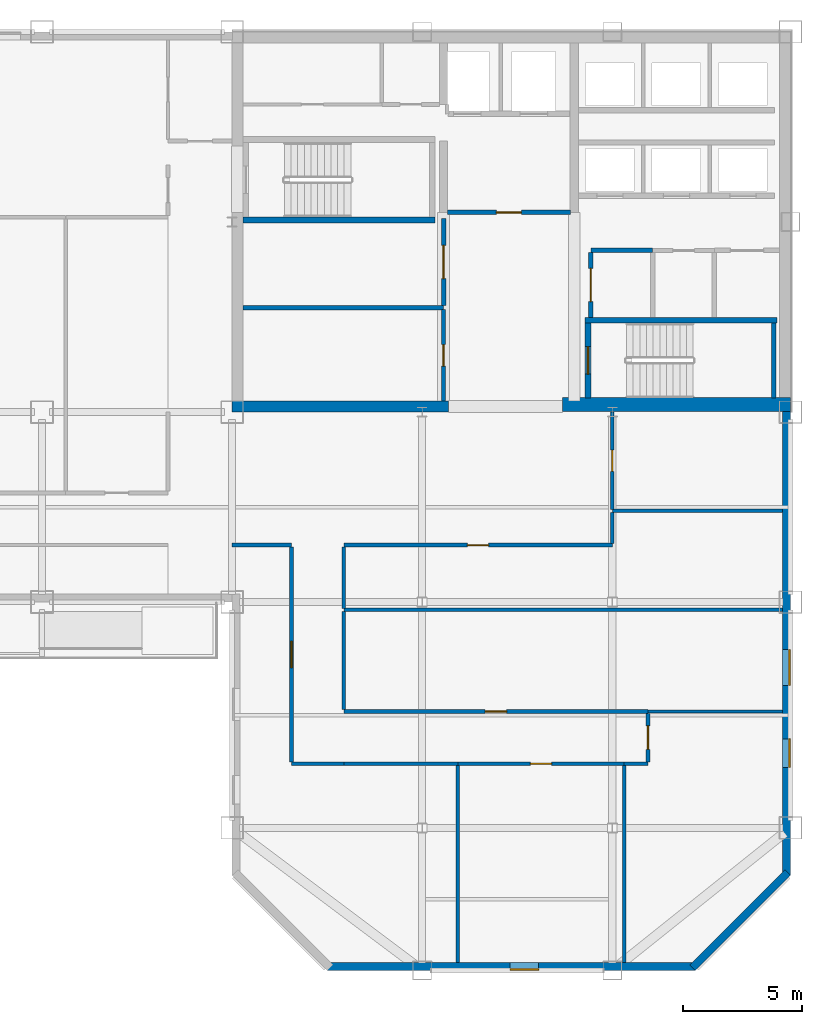
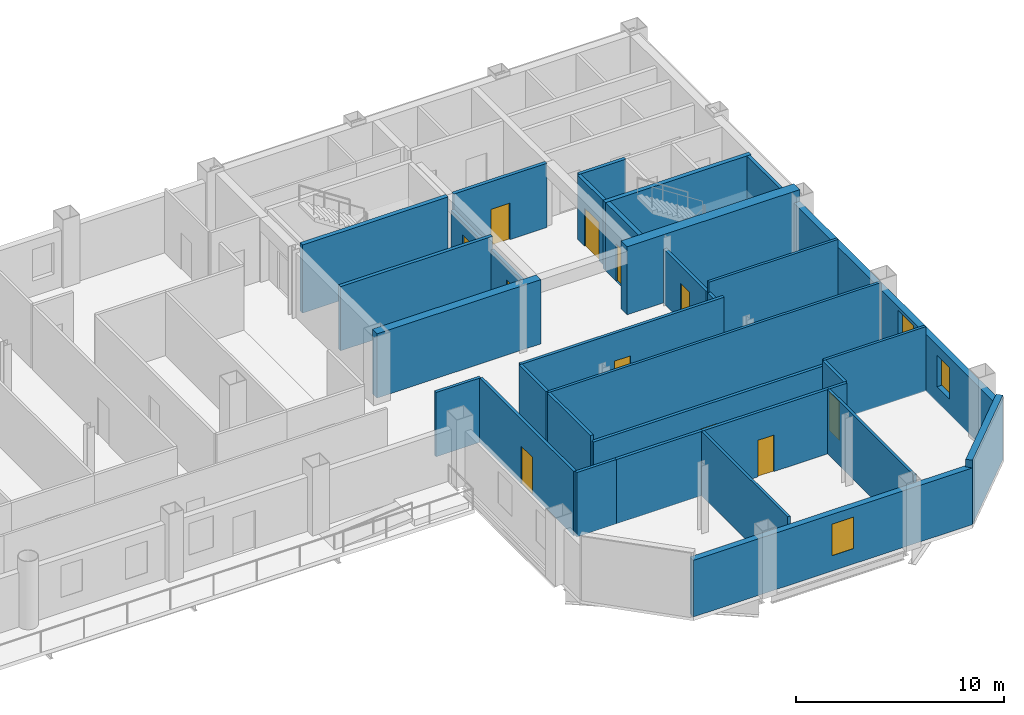
# One storey, part 5 of 11: 33 walls, 11 doors, 3 windows, 14 openings.
"""IFC4 building model written with IfcOpenShell, lengths in metres."""

from ifc_helpers import new_model, si_unit, direction, frame, frame_2d, origin, place, context, subcontext, project, spatial, rectangle, extrude, material, layer, layer_set, type_object, element, fill, save


model = new_model("IFC4")

# Units and contexts
model_context = context("Model", 3, precision=1e-05, world=origin(), true_north=direction((0.0, 1.0)))
body_context = subcontext(model_context, "Body", "Model", "MODEL_VIEW")
ifc_project = project(units=[si_unit("LENGTHUNIT", "METRE"), si_unit("AREAUNIT", "SQUARE_METRE"), si_unit("VOLUMEUNIT", "CUBIC_METRE"), si_unit("PLANEANGLEUNIT", "RADIAN"), si_unit("MASSUNIT", "GRAM", prefix="KILO")], contexts=[model_context])

# Site, building, storey
site_placement = place(None, origin())
site = spatial("IfcSite", under=ifc_project, at=site_placement, CompositionType="ELEMENT")
building_placement = place(site_placement, origin())
building = spatial("IfcBuilding", under=site, at=building_placement, Name="Qianrong Seaharbour Tower", CompositionType="ELEMENT")
storey_placement = place(building_placement, frame((0.0, 0.0, 273.800048828125)))
storey = spatial("IfcBuildingStorey", under=building, at=storey_placement, Name="L66", CompositionType="ELEMENT", Elevation=273.800048828125)

# Walls
ifc_material_1 = material(Name="Concrete C60/75", Category="concrete")
ifc_layer_1 = layer(ifc_material_1, 0.4599609375)
ifc_layer_set_1 = layer_set([ifc_layer_1], Name="Concrete C60/75")
wall_type_1 = type_object("IfcWallType", Name="WALL-CORE-460", PredefinedType="SHEAR", material=ifc_layer_set_1)
wall_1_placement = place(storey_placement, frame((40.5, 36.22998046875, 0.0), z_axis=(0.0, 0.0, 1.0), x_axis=(1.0, 0.0, 0.0)))
element("IfcWall", 1, at=wall_1_placement, inside=storey, type_object=wall_type_1, Name="L66 South Core Shear Wall S1", PredefinedType="SHEAR", context=body_context, shape_type="SweptSolid", body=[
    extrude(rectangle(XDim=9.10009765625, YDim=0.4599609375, at=frame_2d((4.550048828125, 0.0))), origin(), (0.0, 0.0, 1.0), 3.77490234375),
])
ifc_material_2 = material(Name="Concrete C70/85", Category="concrete")
ifc_layer_2 = layer(ifc_material_2, 0.580078125)
ifc_layer_set_2 = layer_set([ifc_layer_2], Name="Concrete C70/85")
wall_type_2 = type_object("IfcWallType", Name="WALL-CORE-580", PredefinedType="SHEAR", material=ifc_layer_set_2)
wall_2_placement = place(storey_placement, frame((54.39990234375, 36.320068359375, 0.0), z_axis=(0.0, 0.0, 1.0), x_axis=(1.0, 0.0, 0.0)))
element("IfcWall", 2, at=wall_2_placement, inside=storey, type_object=wall_type_2, Name="L66 South Core Shear Wall S3", PredefinedType="SHEAR", context=body_context, shape_type="SweptSolid", body=[
    extrude(rectangle(XDim=9.60009765625, YDim=0.580078125, at=frame_2d((4.800048828125, 0.0))), origin(), (0.0, 0.0, 1.0), 4.0),
])

# Wall, opening, door
ifc_material_3 = material(Name="Fire-rated acoustic gypsum board partition")
ifc_layer_3 = layer(ifc_material_3, 0.1650390625)
ifc_layer_set_3 = layer_set([ifc_layer_3], Name="Fire-rated acoustic gypsum board partition")
wall_type_3 = type_object("IfcWallType", Name="WALL-CORR-PART-165", PredefinedType="PARTITIONING", material=ifc_layer_set_3)
wall_3_placement = place(storey_placement, frame((49.39990234375, 36.4599609375, 0.0), z_axis=(0.0, 0.0, 1.0), x_axis=(0.0, 1.0, 0.0)))
wall_3 = element("IfcWall", 3, at=wall_3_placement, inside=storey, type_object=wall_type_3, Name="L66 Interior Partition Wall 007", PredefinedType="PARTITIONING", context=body_context, shape_type="SweptSolid", body=[
    extrude(rectangle(XDim=3.85302734375, YDim=0.1650390625, at=frame_2d((1.926513671875, 0.0))), origin(), (0.0, 0.0, 1.0), 3.016845703125),
])
opening_1_placement = place(wall_3_placement, frame((1.4765625, 0.0, 0.0)))
opening_1 = element("IfcOpeningElement", 4, at=opening_1_placement, cuts=wall_3, Name="Opening DS-01", PredefinedType="OPENING", context=body_context, shape_type="SweptSolid", body=[
    extrude(rectangle(XDim=0.89990234375, YDim=2.14990234375, at=frame_2d((0.449951171875, 1.074951171875))), frame((0.0, 0.092529296875, 0.0), z_axis=(0.0, -1.0, 0.0), x_axis=(1.0, 0.0, 0.0)), (0.0, 0.0, 1.0), 0.18505859375),
])
ifc_material_4 = material(Name="Acoustic timber and galvanized steel fire door assembly", Category="steel")
door_type_1 = type_object("IfcDoorType", Name="DOOR-STORE-900x2150", OperationType="NOTDEFINED", PredefinedType="DOOR", material=ifc_material_4)
door_1_placement = place(opening_1_placement, origin())
door_1 = element("IfcDoor", 5, at=door_1_placement, inside=storey, type_object=door_type_1, Name="L66 Corporate Archive Room Door", OperationType="SINGLE_SWING_LEFT", OverallHeight=2.14990234375, OverallWidth=0.89990234375, PredefinedType="DOOR", context=body_context, shape_type="SweptSolid", body=[
    extrude(rectangle(XDim=0.89990234375, YDim=2.14990234375, at=frame_2d((0.449951171875, 1.074951171875))), frame((0.0, 0.02490234375, 0.0), z_axis=(0.0, -1.0, 0.0), x_axis=(1.0, 0.0, 0.0)), (0.0, 0.0, 1.0), 0.050048828125),
])
fill(opening_1, door_1)

# Wall
wall_4_placement = place(storey_placement, frame((56.5, 31.775390625, 0.0), z_axis=(0.0, 0.0, 1.0), x_axis=(0.0, -1.0, 0.0)))
element("IfcWall", 6, at=wall_4_placement, inside=storey, type_object=wall_type_3, Name="L66 Interior Partition Wall 030", PredefinedType="PARTITIONING", context=body_context, shape_type="SweptSolid", body=[
    extrude(rectangle(XDim=1.30078125, YDim=0.1650390625, at=frame_2d((0.650390625, 0.0))), origin(), (0.0, 0.0, 1.0), 3.178955078125),
])

# Wall, opening, door
wall_5_placement = place(storey_placement, frame((56.5, 30.39990234375, 0.0), z_axis=(0.0, 0.0, 1.0), x_axis=(-1.0, 0.0, 0.0)))
wall_5 = element("IfcWall", 7, at=wall_5_placement, inside=storey, type_object=wall_type_3, Name="L66 Interior Partition Wall 031", PredefinedType="PARTITIONING", context=body_context, shape_type="SweptSolid", body=[
    extrude(rectangle(XDim=11.300048828125, YDim=0.1650390625, at=frame_2d((5.64990234375, 0.0))), origin(), (0.0, 0.0, 1.0), 3.77490234375),
])
opening_2_placement = place(wall_5_placement, frame((5.199951171875, 0.0, 0.0)))
opening_2 = element("IfcOpeningElement", 8, at=opening_2_placement, cuts=wall_5, Name="Opening DS-01", PredefinedType="OPENING", context=body_context, shape_type="SweptSolid", body=[
    extrude(rectangle(XDim=0.89990234375, YDim=2.14990234375, at=frame_2d((0.449951171875, 1.074951171875))), frame((0.0, 0.092529296875, 0.0), z_axis=(0.0, -1.0, 0.0), x_axis=(1.0, 0.0, 0.0)), (0.0, 0.0, 1.0), 0.18505859375),
])
door_2_placement = place(opening_2_placement, origin())
door_2 = element("IfcDoor", 9, at=door_2_placement, inside=storey, type_object=door_type_1, Name="L66 Closed File Store 2 Door", OperationType="SINGLE_SWING_RIGHT", OverallHeight=2.14990234375, OverallWidth=0.89990234375, PredefinedType="DOOR", context=body_context, shape_type="SweptSolid", body=[
    extrude(rectangle(XDim=0.89990234375, YDim=2.14990234375, at=frame_2d((0.449951171875, 1.074951171875))), frame((0.0, 0.02490234375, 0.0), z_axis=(0.0, -1.0, 0.0), x_axis=(1.0, 0.0, 0.0)), (0.0, 0.0, 1.0), 0.050048828125),
])
fill(opening_2, door_2)

wall_6_placement = place(storey_placement, frame((56.5, 36.0, 0.0), z_axis=(0.0, 0.0, 1.0), x_axis=(0.0, -1.0, 0.0)))
wall_6 = element("IfcWall", 10, at=wall_6_placement, inside=storey, type_object=wall_type_3, Name="L66 Interior Partition Wall 032", PredefinedType="PARTITIONING", context=body_context, shape_type="SweptSolid", body=[
    extrude(rectangle(XDim=4.095458984375, YDim=0.1650390625, at=frame_2d((2.0478515625, 0.0))), origin(), (0.0, 0.0, 1.0), 3.178955078125),
])
opening_3_placement = place(wall_6_placement, frame((1.597900390625, 0.0, 0.0)))
opening_3 = element("IfcOpeningElement", 11, at=opening_3_placement, cuts=wall_6, Name="Opening DS-01", PredefinedType="OPENING", context=body_context, shape_type="SweptSolid", body=[
    extrude(rectangle(XDim=0.89990234375, YDim=2.14990234375, at=frame_2d((0.449951171875, 1.074951171875))), frame((0.0, 0.092529296875, 0.0), z_axis=(0.0, -1.0, 0.0), x_axis=(1.0, 0.0, 0.0)), (0.0, 0.0, 1.0), 0.18505859375),
])
door_3_placement = place(opening_3_placement, origin())
door_3 = element("IfcDoor", 12, at=door_3_placement, inside=storey, type_object=door_type_1, Name="L66 Document Registry Store 3 Door", OperationType="SINGLE_SWING_LEFT", OverallHeight=2.14990234375, OverallWidth=0.89990234375, PredefinedType="DOOR", context=body_context, shape_type="SweptSolid", body=[
    extrude(rectangle(XDim=0.89990234375, YDim=2.14990234375, at=frame_2d((0.449951171875, 1.074951171875))), frame((0.0, 0.02490234375, 0.0), z_axis=(0.0, -1.0, 0.0), x_axis=(1.0, 0.0, 0.0)), (0.0, 0.0, 1.0), 0.050048828125),
])
fill(opening_3, door_3)

# Walls
wall_7_placement = place(storey_placement, frame((43.0, 30.39990234375, 0.0), z_axis=(0.0, 0.0, 1.0), x_axis=(-1.0, 0.0, 0.0)))
element("IfcWall", 13, at=wall_7_placement, inside=storey, type_object=wall_type_3, Name="L66 Interior Partition Wall 033", PredefinedType="PARTITIONING", context=body_context, shape_type="SweptSolid", body=[
    extrude(rectangle(XDim=2.5, YDim=0.1650390625, at=frame_2d((1.25, 0.0))), origin(), (0.0, 0.0, 1.0), 3.77490234375),
])
wall_8_placement = place(storey_placement, frame((45.199951171875, 27.615478515625, 0.0), z_axis=(0.0, 0.0, 1.0), x_axis=(0.0, -1.0, 0.0)))
element("IfcWall", 14, at=wall_8_placement, inside=storey, type_object=wall_type_3, Name="L66 Interior Partition Wall 034", PredefinedType="PARTITIONING", context=body_context, shape_type="SweptSolid", body=[
    extrude(rectangle(XDim=4.140869140625, YDim=0.1650390625, at=frame_2d((2.0703125, 0.0))), origin(), (0.0, 0.0, 1.0), 3.77490234375),
])
wall_9_placement = place(storey_placement, frame((45.199951171875, 30.325439453125, 0.0), z_axis=(0.0, 0.0, 1.0), x_axis=(0.0, -1.0, 0.0)))
element("IfcWall", 15, at=wall_9_placement, inside=storey, type_object=wall_type_3, Name="L66 Interior Partition Wall 035", PredefinedType="PARTITIONING", context=body_context, shape_type="SweptSolid", body=[
    extrude(rectangle(XDim=2.5810546875, YDim=0.1650390625, at=frame_2d((1.29052734375, 0.0))), origin(), (0.0, 0.0, 1.0), 3.77490234375),
])
wall_10_placement = place(storey_placement, frame((45.199951171875, 21.199951171875, 0.0), z_axis=(0.0, 0.0, 1.0), x_axis=(-1.0, 0.0, 0.0)))
element("IfcWall", 16, at=wall_10_placement, inside=storey, type_object=wall_type_3, Name="L66 Interior Partition Wall 036", PredefinedType="PARTITIONING", context=body_context, shape_type="SweptSolid", body=[
    extrude(rectangle(XDim=2.199951171875, YDim=0.1650390625, at=frame_2d((1.10009765625, 0.0))), origin(), (0.0, 0.0, 1.0), 3.77490234375),
])

# Wall, opening, door
wall_11_placement = place(storey_placement, frame((43.0, 21.2744140625, 0.0), z_axis=(0.0, 0.0, 1.0), x_axis=(0.0, 1.0, 0.0)))
wall_11 = element("IfcWall", 17, at=wall_11_placement, inside=storey, type_object=wall_type_3, Name="L66 Interior Partition Wall 037", PredefinedType="PARTITIONING", context=body_context, shape_type="SweptSolid", body=[
    extrude(rectangle(XDim=9.051025390625, YDim=0.1650390625, at=frame_2d((4.525390625, 0.0))), origin(), (0.0, 0.0, 1.0), 3.77490234375),
])
opening_4_placement = place(wall_11_placement, frame((3.9755859375, 0.0, 0.0)))
opening_4 = element("IfcOpeningElement", 18, at=opening_4_placement, cuts=wall_11, Name="Opening DM-01", PredefinedType="OPENING", context=body_context, shape_type="SweptSolid", body=[
    extrude(rectangle(XDim=1.10009765625, YDim=2.199951171875, at=frame_2d((0.550048828125, 1.10009765625))), frame((0.0, 0.092529296875, 0.0), z_axis=(0.0, -1.0, 0.0), x_axis=(1.0, 0.0, 0.0)), (0.0, 0.0, 1.0), 0.18505859375),
])
door_type_2 = type_object("IfcDoorType", Name="DOOR-MEET-1100x2200", OperationType="NOTDEFINED", PredefinedType="DOOR", material=ifc_material_4)
door_4_placement = place(opening_4_placement, origin())
door_4 = element("IfcDoor", 19, at=door_4_placement, inside=storey, type_object=door_type_2, Name="L66 Mediation Meeting Room 1 Door", OperationType="SINGLE_SWING_LEFT", OverallHeight=2.199951171875, OverallWidth=1.10009765625, PredefinedType="DOOR", context=body_context, shape_type="SweptSolid", body=[
    extrude(rectangle(XDim=1.10009765625, YDim=2.199951171875, at=frame_2d((0.550048828125, 1.10009765625))), frame((0.0, 0.02490234375, 0.0), z_axis=(0.0, -1.0, 0.0), x_axis=(1.0, 0.0, 0.0)), (0.0, 0.0, 1.0), 0.050048828125),
])
fill(opening_4, door_4)

wall_12_placement = place(storey_placement, frame((45.199951171875, 23.39990234375, 0.0), z_axis=(0.0, 0.0, 1.0), x_axis=(1.0, 0.0, 0.0)))
wall_12 = element("IfcWall", 20, at=wall_12_placement, inside=storey, type_object=wall_type_3, Name="L66 Interior Partition Wall 038", PredefinedType="PARTITIONING", context=body_context, shape_type="SweptSolid", body=[
    extrude(rectangle(XDim=12.800048828125, YDim=0.1650390625, at=frame_2d((6.39990234375, 0.0))), origin(), (0.0, 0.0, 1.0), 3.467041015625),
])
opening_5_placement = place(wall_12_placement, frame((5.949951171875, 0.0, 0.0)))
opening_5 = element("IfcOpeningElement", 21, at=opening_5_placement, cuts=wall_12, Name="Opening DS-01", PredefinedType="OPENING", context=body_context, shape_type="SweptSolid", body=[
    extrude(rectangle(XDim=0.89990234375, YDim=2.14990234375, at=frame_2d((0.449951171875, 1.074951171875))), frame((0.0, 0.092529296875, 0.0), z_axis=(0.0, -1.0, 0.0), x_axis=(1.0, 0.0, 0.0)), (0.0, 0.0, 1.0), 0.18505859375),
])
door_5_placement = place(opening_5_placement, origin())
door_5 = element("IfcDoor", 22, at=door_5_placement, inside=storey, type_object=door_type_1, Name="L66 Docket Archive Store 1 Door", OperationType="SINGLE_SWING_LEFT", OverallHeight=2.14990234375, OverallWidth=0.89990234375, PredefinedType="DOOR", context=body_context, shape_type="SweptSolid", body=[
    extrude(rectangle(XDim=0.89990234375, YDim=2.14990234375, at=frame_2d((0.449951171875, 1.074951171875))), frame((0.0, 0.02490234375, 0.0), z_axis=(0.0, -1.0, 0.0), x_axis=(1.0, 0.0, 0.0)), (0.0, 0.0, 1.0), 0.050048828125),
])
fill(opening_5, door_5)

# Wall
wall_13_placement = place(storey_placement, frame((50.0, 21.199951171875, 0.0), z_axis=(0.0, 0.0, 1.0), x_axis=(-1.0, 0.0, 0.0)))
element("IfcWall", 23, at=wall_13_placement, inside=storey, type_object=wall_type_3, Name="L66 Interior Partition Wall 039", PredefinedType="PARTITIONING", context=body_context, shape_type="SweptSolid", body=[
    extrude(rectangle(XDim=4.800048828125, YDim=0.1650390625, at=frame_2d((2.39990234375, 0.0))), origin(), (0.0, 0.0, 1.0), 3.77490234375),
])

# Wall, opening, door
wall_14_placement = place(storey_placement, frame((57.0, 21.199951171875, 0.0), z_axis=(0.0, 0.0, 1.0), x_axis=(-1.0, 0.0, 0.0)))
wall_14 = element("IfcWall", 24, at=wall_14_placement, inside=storey, type_object=wall_type_3, Name="L66 Interior Partition Wall 040", PredefinedType="PARTITIONING", context=body_context, shape_type="SweptSolid", body=[
    extrude(rectangle(XDim=7.0, YDim=0.1650390625, at=frame_2d((3.5, 0.0))), origin(), (0.0, 0.0, 1.0), 3.77490234375),
])
opening_6_placement = place(wall_14_placement, frame((3.050048828125, 0.0, 0.0)))
opening_6 = element("IfcOpeningElement", 25, at=opening_6_placement, cuts=wall_14, Name="Opening DS-01", PredefinedType="OPENING", context=body_context, shape_type="SweptSolid", body=[
    extrude(rectangle(XDim=0.89990234375, YDim=2.14990234375, at=frame_2d((0.449951171875, 1.074951171875))), frame((0.0, 0.092529296875, 0.0), z_axis=(0.0, -1.0, 0.0), x_axis=(1.0, 0.0, 0.0)), (0.0, 0.0, 1.0), 0.18505859375),
])
door_6_placement = place(opening_6_placement, origin())
door_6 = element("IfcDoor", 26, at=door_6_placement, inside=storey, type_object=door_type_1, Name="L66 Corporate Archive Room 2 Door", OperationType="SINGLE_SWING_RIGHT", OverallHeight=2.14990234375, OverallWidth=0.89990234375, PredefinedType="DOOR", context=body_context, shape_type="SweptSolid", body=[
    extrude(rectangle(XDim=0.89990234375, YDim=2.14990234375, at=frame_2d((0.449951171875, 1.074951171875))), frame((0.0, 0.02490234375, 0.0), z_axis=(0.0, -1.0, 0.0), x_axis=(1.0, 0.0, 0.0)), (0.0, 0.0, 1.0), 0.050048828125),
])
fill(opening_6, door_6)

wall_15_placement = place(storey_placement, frame((58.0, 23.325439453125, 0.0), z_axis=(0.0, 0.0, 1.0), x_axis=(0.0, -1.0, 0.0)))
wall_15 = element("IfcWall", 27, at=wall_15_placement, inside=storey, type_object=wall_type_3, Name="L66 Interior Partition Wall 041", PredefinedType="PARTITIONING", context=body_context, shape_type="SweptSolid", body=[
    extrude(rectangle(XDim=2.051025390625, YDim=0.1650390625, at=frame_2d((1.025390625, 0.0))), origin(), (0.0, 0.0, 1.0), 3.77490234375),
])
opening_7_placement = place(wall_15_placement, frame((0.535400390625, 0.0, 0.0)))
opening_7 = element("IfcOpeningElement", 28, at=opening_7_placement, cuts=wall_15, Name="Opening DE-01", PredefinedType="OPENING", context=body_context, shape_type="SweptSolid", body=[
    extrude(rectangle(XDim=0.97998046875, YDim=2.25, at=frame_2d((0.489990234375, 1.125))), frame((0.0, 0.092529296875, 0.0), z_axis=(0.0, -1.0, 0.0), x_axis=(1.0, 0.0, 0.0)), (0.0, 0.0, 1.0), 0.18505859375),
])
door_type_3 = type_object("IfcDoorType", Name="DOOR-EXEC-980x2250", OperationType="NOTDEFINED", PredefinedType="DOOR", material=ifc_material_4)
door_7_placement = place(opening_7_placement, origin())
door_7 = element("IfcDoor", 29, at=door_7_placement, inside=storey, type_object=door_type_3, Name="L66 Senior Partner Office 3 Door", OperationType="SINGLE_SWING_LEFT", OverallHeight=2.25, OverallWidth=0.97998046875, PredefinedType="DOOR", context=body_context, shape_type="SweptSolid", body=[
    extrude(rectangle(XDim=0.97998046875, YDim=2.25, at=frame_2d((0.489990234375, 1.125))), frame((0.0, 0.02490234375, 0.0), z_axis=(0.0, -1.0, 0.0), x_axis=(1.0, 0.0, 0.0)), (0.0, 0.0, 1.0), 0.050048828125),
])
fill(opening_7, door_7)

# Wall
wall_16_placement = place(storey_placement, frame((58.0, 21.199951171875, 0.0), z_axis=(0.0, 0.0, 1.0), x_axis=(-1.0, 0.0, 0.0)))
element("IfcWall", 30, at=wall_16_placement, inside=storey, type_object=wall_type_3, Name="L66 Interior Partition Wall 042", PredefinedType="PARTITIONING", context=body_context, shape_type="SweptSolid", body=[
    extrude(rectangle(XDim=1.0, YDim=0.1650390625, at=frame_2d((0.5, 0.0))), origin(), (0.0, 0.0, 1.0), 3.77490234375),
])

# Wall, openings, windows
ifc_material_5 = material(Name="Unitised buff brick on Precast concrete C45/55", Category="masonry")
ifc_layer_4 = layer(ifc_material_5, 0.340087890625)
ifc_layer_set_4 = layer_set([ifc_layer_4], Name="Unitised buff brick on Precast concrete C45/55")
wall_type_4 = type_object("IfcWallType", Name="WALL-EXT-BRICK-BUFF-340", PredefinedType="SOLIDWALL", material=ifc_layer_set_4)
wall_17_placement = place(storey_placement, frame((63.830078125, 36.050048828125, 0.0), z_axis=(0.0, 0.0, 1.0), x_axis=(0.0, -1.0, 0.0)))
wall_17 = element("IfcWall", 31, at=wall_17_placement, inside=storey, type_object=wall_type_4, Name="L66 Exterior Masonry Facade Wall EAST_WING", PredefinedType="SOLIDWALL", context=body_context, shape_type="SweptSolid", body=[
    extrude(rectangle(XDim=19.550048828125, YDim=0.340087890625, at=frame_2d((9.77490234375, 0.0))), origin(), (0.0, 0.0, 1.0), 3.324951171875),
])
opening_8_placement = place(wall_17_placement, frame((10.050048828125, 0.0, 0.699951171875)))
opening_8 = element("IfcOpeningElement", 32, at=opening_8_placement, cuts=wall_17, Name="Opening WN-08", PredefinedType="OPENING", context=body_context, shape_type="SweptSolid", body=[
    extrude(rectangle(XDim=1.5, YDim=2.39990234375, at=frame_2d((0.75, 1.199951171875))), frame((0.0, 0.18017578125, 0.0), z_axis=(0.0, -1.0, 0.0), x_axis=(1.0, 0.0, 0.0)), (0.0, 0.0, 1.0), 0.360107421875),
])
opening_9_placement = place(wall_17_placement, frame((13.800048828125, 0.0, 0.89990234375)))
opening_9 = element("IfcOpeningElement", 33, at=opening_9_placement, cuts=wall_17, Name="Opening WN-01", PredefinedType="OPENING", context=body_context, shape_type="SweptSolid", body=[
    extrude(rectangle(XDim=1.199951171875, YDim=1.85009765625, at=frame_2d((0.60009765625, 0.925048828125))), frame((0.0, 0.18017578125, 0.0), z_axis=(0.0, -1.0, 0.0), x_axis=(1.0, 0.0, 0.0)), (0.0, 0.0, 1.0), 0.360107421875),
])
ifc_material_6 = material(Name="Insulated low-e double glazing in thermally broken aluminium 6063-T6 frame", Category="aluminium")
window_type_1 = type_object("IfcWindowType", Name="WIN-PUNCH-1200x1850", PartitioningType="DOUBLE_PANEL_VERTICAL", PredefinedType="WINDOW", material=ifc_material_6)
window_1_placement = place(opening_9_placement, origin())
window_1 = element("IfcWindow", 34, at=window_1_placement, inside=storey, type_object=window_type_1, Name="L66 Deep-Set Punched Window 06.04", OverallHeight=1.85009765625, OverallWidth=1.199951171875, PartitioningType="DOUBLE_PANEL_VERTICAL", PredefinedType="WINDOW", context=body_context, shape_type="SweptSolid", body=[
    extrude(rectangle(XDim=1.199951171875, YDim=1.85009765625, at=frame_2d((0.60009765625, 0.925048828125))), frame((0.0, 0.150146484375, 0.0), z_axis=(0.0, -1.0, 0.0), x_axis=(1.0, 0.0, 0.0)), (0.0, 0.0, 1.0), 0.06005859375),
])
fill(opening_9, window_1)
window_type_2 = type_object("IfcWindowType", Name="WIN-PUNCH-1500x2400", PartitioningType="DOUBLE_PANEL_HORIZONTAL", PredefinedType="WINDOW", material=ifc_material_6)
window_2_placement = place(opening_8_placement, origin())
window_2 = element("IfcWindow", 35, at=window_2_placement, inside=storey, type_object=window_type_2, Name="L66 Deep-Set Punched Window 06.03", OverallHeight=2.39990234375, OverallWidth=1.5, PartitioningType="DOUBLE_PANEL_HORIZONTAL", PredefinedType="WINDOW", context=body_context, shape_type="SweptSolid", body=[
    extrude(rectangle(XDim=1.5, YDim=2.39990234375, at=frame_2d((0.75, 1.199951171875))), frame((0.0, 0.150146484375, 0.0), z_axis=(0.0, -1.0, 0.0), x_axis=(1.0, 0.0, 0.0)), (0.0, 0.0, 1.0), 0.06005859375),
])
fill(opening_8, window_2)

# Wall
wall_18_placement = place(storey_placement, frame((63.8798828125, 16.6201171875, 0.0), z_axis=(0.0, 0.0, 1.0), x_axis=(-0.707106781187, -0.707106781187, 0.0)))
element("IfcWall", 36, at=wall_18_placement, inside=storey, type_object=wall_type_4, Name="L66 Exterior Masonry Facade Wall E07", PredefinedType="SOLIDWALL", context=body_context, shape_type="SweptSolid", body=[
    extrude(rectangle(XDim=5.65673828125, YDim=0.340087890625, at=frame_2d((2.828369140625, 0.0))), origin(), (0.0, 0.0, 1.0), 3.77490234375),
])

# Wall, opening, window
wall_19_placement = place(storey_placement, frame((60.0, 12.669921875, 0.0), z_axis=(0.0, 0.0, 1.0), x_axis=(-1.0, 0.0, 0.0)))
wall_19 = element("IfcWall", 37, at=wall_19_placement, inside=storey, type_object=wall_type_4, Name="L66 Exterior Masonry Facade Wall SOUTH_TIP", PredefinedType="SOLIDWALL", context=body_context, shape_type="SweptSolid", body=[
    extrude(rectangle(XDim=15.5, YDim=0.340087890625, at=frame_2d((7.75, 0.0))), origin(), (0.0, 0.0, 1.0), 3.324951171875),
])
opening_10_placement = place(wall_19_placement, frame((6.60009765625, 0.0, 0.89990234375)))
opening_10 = element("IfcOpeningElement", 38, at=opening_10_placement, cuts=wall_19, Name="Opening WN-01", PredefinedType="OPENING", context=body_context, shape_type="SweptSolid", body=[
    extrude(rectangle(XDim=1.199951171875, YDim=1.85009765625, at=frame_2d((0.60009765625, 0.925048828125))), frame((0.0, 0.18017578125, 0.0), z_axis=(0.0, -1.0, 0.0), x_axis=(1.0, 0.0, 0.0)), (0.0, 0.0, 1.0), 0.360107421875),
])
window_3_placement = place(opening_10_placement, origin())
window_3 = element("IfcWindow", 39, at=window_3_placement, inside=storey, type_object=window_type_1, Name="L66 Deep-Set Punched Window 08.02", OverallHeight=1.85009765625, OverallWidth=1.199951171875, PartitioningType="DOUBLE_PANEL_VERTICAL", PredefinedType="WINDOW", context=body_context, shape_type="SweptSolid", body=[
    extrude(rectangle(XDim=1.199951171875, YDim=1.85009765625, at=frame_2d((0.60009765625, 0.925048828125))), frame((0.0, 0.150146484375, 0.0), z_axis=(0.0, -1.0, 0.0), x_axis=(1.0, 0.0, 0.0)), (0.0, 0.0, 1.0), 0.06005859375),
])
fill(opening_10, window_3)

# Wall, opening, door
ifc_material_7 = material(Name="Double fire-rated gypsum board acoustic partition")
ifc_layer_5 = layer(ifc_material_7, 0.18994140625)
ifc_layer_set_5 = layer_set([ifc_layer_5], Name="Double fire-rated gypsum board acoustic partition")
wall_type_5 = type_object("IfcWallType", Name="WALL-FIRE-PART-190", PredefinedType="PARTITIONING", material=ifc_layer_set_5)
wall_20_placement = place(storey_placement, frame((54.73291015625, 44.39990234375, 0.0), z_axis=(0.0, 0.0, 1.0), x_axis=(-1.0, 0.0, 0.0)))
wall_20 = element("IfcWall", 40, at=wall_20_placement, inside=storey, type_object=wall_type_5, Name="L66 Interior Partition Wall 006", PredefinedType="PARTITIONING", context=body_context, shape_type="SweptSolid", body=[
    extrude(rectangle(XDim=5.166015625, YDim=0.18994140625, at=frame_2d((2.5830078125, 0.0))), origin(), (0.0, 0.0, 1.0), 3.77490234375),
])
opening_11_placement = place(wall_20_placement, frame((2.05810546875, 0.0, 0.0)))
opening_11 = element("IfcOpeningElement", 41, at=opening_11_placement, cuts=wall_20, Name="Opening DC-01", PredefinedType="OPENING", context=body_context, shape_type="SweptSolid", body=[
    extrude(rectangle(XDim=1.050048828125, YDim=2.14990234375, at=frame_2d((0.52490234375, 1.074951171875))), frame((0.0, 0.10498046875, 0.0), z_axis=(0.0, -1.0, 0.0), x_axis=(1.0, 0.0, 0.0)), (0.0, 0.0, 1.0), 0.2099609375),
])
door_type_4 = type_object("IfcDoorType", Name="DOOR-CORR-FD60-1050x2150", OperationType="NOTDEFINED", PredefinedType="DOOR", material=ifc_material_4)
door_8_placement = place(opening_11_placement, origin())
door_8 = element("IfcDoor", 42, at=door_8_placement, inside=storey, type_object=door_type_4, Name="L66 Firefighting Lift Lobby Door", OperationType="SINGLE_SWING_RIGHT", OverallHeight=2.14990234375, OverallWidth=1.050048828125, PredefinedType="DOOR", context=body_context, shape_type="SweptSolid", body=[
    extrude(rectangle(XDim=1.050048828125, YDim=2.14990234375, at=frame_2d((0.52490234375, 1.074951171875))), frame((0.0, 0.02490234375, 0.0), z_axis=(0.0, -1.0, 0.0), x_axis=(1.0, 0.0, 0.0)), (0.0, 0.0, 1.0), 0.050048828125),
])
fill(opening_11, door_8)

wall_21_placement = place(storey_placement, frame((49.39990234375, 40.487060546875, 0.0), z_axis=(0.0, 0.0, 1.0), x_axis=(0.0, 1.0, 0.0)))
wall_21 = element("IfcWall", 43, at=wall_21_placement, inside=storey, type_object=wall_type_5, Name="L66 Interior Partition Wall 008", PredefinedType="PARTITIONING", context=body_context, shape_type="SweptSolid", body=[
    extrude(rectangle(XDim=3.662841796875, YDim=0.18994140625, at=frame_2d((1.83154296875, 0.0))), origin(), (0.0, 0.0, 1.0), 3.016845703125),
])
opening_12_placement = place(wall_21_placement, frame((1.131591796875, 0.0, 0.0)))
opening_12 = element("IfcOpeningElement", 44, at=opening_12_placement, cuts=wall_21, Name="Opening DP-01", PredefinedType="OPENING", context=body_context, shape_type="SweptSolid", body=[
    extrude(rectangle(XDim=1.39990234375, YDim=2.25, at=frame_2d((0.699951171875, 1.125))), frame((0.0, 0.10498046875, 0.0), z_axis=(0.0, -1.0, 0.0), x_axis=(1.0, 0.0, 0.0)), (0.0, 0.0, 1.0), 0.2099609375),
])
door_type_5 = type_object("IfcDoorType", Name="DOOR-PLANT-PAIR-1400x2250", OperationType="DOUBLE_DOOR_SINGLE_SWING", PredefinedType="DOOR", material=ifc_material_4)
door_9_placement = place(opening_12_placement, origin())
door_9 = element("IfcDoor", 45, at=door_9_placement, inside=storey, type_object=door_type_5, Name="L66 Telecom Server Room Door", OperationType="DOUBLE_DOOR_SINGLE_SWING", OverallHeight=2.25, OverallWidth=1.39990234375, PredefinedType="DOOR", context=body_context, shape_type="SweptSolid", body=[
    extrude(rectangle(XDim=1.39990234375, YDim=2.25, at=frame_2d((0.699951171875, 1.125))), frame((0.0, 0.02490234375, 0.0), z_axis=(0.0, -1.0, 0.0), x_axis=(1.0, 0.0, 0.0)), (0.0, 0.0, 1.0), 0.050048828125),
])
fill(opening_12, door_9)

wall_22_placement = place(storey_placement, frame((55.60009765625, 42.712890625, 0.0), z_axis=(0.0, 0.0, 1.0), x_axis=(0.0, -1.0, 0.0)))
wall_22 = element("IfcWall", 46, at=wall_22_placement, inside=storey, type_object=wall_type_5, Name="L66 Interior Partition Wall 009", PredefinedType="PARTITIONING", context=body_context, shape_type="SweptSolid", body=[
    extrude(rectangle(XDim=2.73095703125, YDim=0.18994140625, at=frame_2d((1.365478515625, 0.0))), origin(), (0.0, 0.0, 1.0), 3.77490234375),
])
opening_13_placement = place(wall_22_placement, frame((0.66552734375, 0.0, 0.0)))
opening_13 = element("IfcOpeningElement", 47, at=opening_13_placement, cuts=wall_22, Name="Opening DP-01", PredefinedType="OPENING", context=body_context, shape_type="SweptSolid", body=[
    extrude(rectangle(XDim=1.39990234375, YDim=2.25, at=frame_2d((0.699951171875, 1.125))), frame((0.0, 0.10498046875, 0.0), z_axis=(0.0, -1.0, 0.0), x_axis=(1.0, 0.0, 0.0)), (0.0, 0.0, 1.0), 0.2099609375),
])
door_10_placement = place(opening_13_placement, origin())
door_10 = element("IfcDoor", 48, at=door_10_placement, inside=storey, type_object=door_type_5, Name="L66 Core Telecom Room Door", OperationType="DOUBLE_DOOR_SINGLE_SWING", OverallHeight=2.25, OverallWidth=1.39990234375, PredefinedType="DOOR", context=body_context, shape_type="SweptSolid", body=[
    extrude(rectangle(XDim=1.39990234375, YDim=2.25, at=frame_2d((0.699951171875, 1.125))), frame((0.0, 0.02490234375, 0.0), z_axis=(0.0, -1.0, 0.0), x_axis=(1.0, 0.0, 0.0)), (0.0, 0.0, 1.0), 0.050048828125),
])
fill(opening_13, door_10)

# Walls
wall_23_placement = place(storey_placement, frame((40.9599609375, 40.39990234375, 0.0), z_axis=(0.0, 0.0, 1.0), x_axis=(1.0, 0.0, 0.0)))
element("IfcWall", 49, at=wall_23_placement, inside=storey, type_object=wall_type_5, Name="L66 Interior Partition Wall 010", PredefinedType="PARTITIONING", context=body_context, shape_type="SweptSolid", body=[
    extrude(rectangle(XDim=8.43994140625, YDim=0.18994140625, at=frame_2d((4.219970703125, 0.0))), origin(), (0.0, 0.0, 1.0), 3.77490234375),
])
wall_24_placement = place(storey_placement, frame((58.199951171875, 42.800048828125, 0.0), z_axis=(0.0, 0.0, 1.0), x_axis=(-1.0, 0.0, 0.0)))
element("IfcWall", 50, at=wall_24_placement, inside=storey, type_object=wall_type_5, Name="L66 Interior Partition Wall 011", PredefinedType="PARTITIONING", context=body_context, shape_type="SweptSolid", body=[
    extrude(rectangle(XDim=2.599853515625, YDim=0.18994140625, at=frame_2d((1.2998046875, 0.0))), origin(), (0.0, 0.0, 1.0), 3.77490234375),
])
ifc_material_8 = material(Name="Acoustic gypsum board stud partition")
ifc_layer_6 = layer(ifc_material_8, 0.14501953125)
ifc_layer_set_6 = layer_set([ifc_layer_6], Name="Acoustic gypsum board stud partition")
wall_type_6 = type_object("IfcWallType", Name="WALL-OFFICE-PART-145", PredefinedType="PARTITIONING", material=ifc_layer_set_6)
wall_25_placement = place(storey_placement, frame((45.199951171875, 27.679931640625, 0.0), z_axis=(0.0, 0.0, 1.0), x_axis=(1.0, 0.0, 0.0)))
element("IfcWall", 51, at=wall_25_placement, inside=storey, type_object=wall_type_6, Name="L66 Interior Partition Wall 048", PredefinedType="PARTITIONING", context=body_context, shape_type="SweptSolid", body=[
    extrude(rectangle(XDim=18.468017578125, YDim=0.14501953125, at=frame_2d((9.23388671875, 0.0))), origin(), (0.0, 0.0, 1.0), 3.77490234375),
])
wall_26_placement = place(storey_placement, frame((63.66796875, 23.39990234375, 0.0), z_axis=(0.0, 0.0, 1.0), x_axis=(-1.0, 0.0, 0.0)))
element("IfcWall", 52, at=wall_26_placement, inside=storey, type_object=wall_type_6, Name="L66 Interior Partition Wall 049", PredefinedType="PARTITIONING", context=body_context, shape_type="SweptSolid", body=[
    extrude(rectangle(XDim=5.66796875, YDim=0.14501953125, at=frame_2d((2.833984375, 0.0))), origin(), (0.0, 0.0, 1.0), 3.77490234375),
])
wall_27_placement = place(storey_placement, frame((56.5, 31.840087890625, 0.0), z_axis=(0.0, 0.0, 1.0), x_axis=(1.0, 0.0, 0.0)))
element("IfcWall", 53, at=wall_27_placement, inside=storey, type_object=wall_type_6, Name="L66 Interior Partition Wall 050", PredefinedType="PARTITIONING", context=body_context, shape_type="SweptSolid", body=[
    extrude(rectangle(XDim=7.16796875, YDim=0.14501953125, at=frame_2d((3.583984375, 0.0))), origin(), (0.0, 0.0, 1.0), 3.77490234375),
])
for number, where, z_axis, x_axis, name in (
    (54, (50.0, 21.12548828125, 0.0), (0.0, 0.0, 1.0), (0.0, -1.0, 0.0), "L66 Interior Partition Wall 051"),
    (55, (57.0, 21.12548828125, 0.0), (0.0, 0.0, 1.0), (0.0, -1.0, 0.0), "L66 Interior Partition Wall 052"),
):
    element("IfcWall", number, at=place(storey_placement, frame(where, z_axis=z_axis, x_axis=x_axis)), inside=storey, type_object=wall_type_6, Name=name, PredefinedType="PARTITIONING", context=body_context, shape_type="SweptSolid", body=[
        extrude(rectangle(XDim=8.29345703125, YDim=0.14501953125, at=frame_2d((4.146728515625, 0.0))), origin(), (0.0, 0.0, 1.0), 3.77490234375),
    ])
ifc_material_9 = material(Name="Concrete C50/60", Category="concrete")
ifc_layer_7 = layer(ifc_material_9, 0.239990234375)
ifc_layer_set_7 = layer_set([ifc_layer_7], Name="Concrete C50/60")
wall_type_7 = type_object("IfcWallType", Name="WALL-SHAFT-RC240", PredefinedType="SOLIDWALL", material=ifc_layer_set_7)
wall_28_placement = place(storey_placement, frame((49.0400390625, 44.080078125, 0.0), z_axis=(0.0, 0.0, 1.0), x_axis=(-1.0, 0.0, 0.0)))
element("IfcWall", 56, at=wall_28_placement, inside=storey, type_object=wall_type_7, Name="L66 ST-1 Structural Stair Core Wall S", PredefinedType="SOLIDWALL", context=body_context, shape_type="SweptSolid", body=[
    extrude(rectangle(XDim=8.080078125, YDim=0.239990234375, at=frame_2d((4.0400390625, 0.0))), origin(), (0.0, 0.0, 1.0), 4.0),
])
wall_29_placement = place(storey_placement, frame((55.360107421875, 39.8701171875, 0.0), z_axis=(0.0, 0.0, 1.0), x_axis=(1.0, 0.0, 0.0)))
element("IfcWall", 57, at=wall_29_placement, inside=storey, type_object=wall_type_7, Name="L66 ST-2 Structural Stair Core Wall N", PredefinedType="SOLIDWALL", context=body_context, shape_type="SweptSolid", body=[
    extrude(rectangle(XDim=8.079833984375, YDim=0.239990234375, at=frame_2d((4.0400390625, 0.0))), origin(), (0.0, 0.0, 1.0), 4.0),
])

# Wall, opening, door
wall_30_placement = place(storey_placement, frame((55.47998046875, 39.75, 0.0), z_axis=(0.0, 0.0, 1.0), x_axis=(0.0, -1.0, 0.0)))
wall_30 = element("IfcWall", 58, at=wall_30_placement, inside=storey, type_object=wall_type_7, Name="L66 ST-2 Structural Stair Core Wall W", PredefinedType="SOLIDWALL", context=body_context, shape_type="SweptSolid", body=[
    extrude(rectangle(XDim=3.14990234375, YDim=0.239990234375, at=frame_2d((1.574951171875, 0.0))), origin(), (0.0, 0.0, 1.0), 4.0),
])
opening_14_placement = place(wall_30_placement, frame((1.0, 0.0, 0.0)))
opening_14 = element("IfcOpeningElement", 59, at=opening_14_placement, cuts=wall_30, Name="Opening SD-01", PredefinedType="OPENING", context=body_context, shape_type="SweptSolid", body=[
    extrude(rectangle(XDim=1.14990234375, YDim=2.199951171875, at=frame_2d((0.574951171875, 1.10009765625))), frame((0.0, 0.1298828125, 0.0), z_axis=(0.0, -1.0, 0.0), x_axis=(1.0, 0.0, 0.0)), (0.0, 0.0, 1.0), 0.260009765625),
])
door_type_6 = type_object("IfcDoorType", Name="DOOR-STAIR-FD60-1150x2200", OperationType="NOTDEFINED", PredefinedType="DOOR", material=ifc_material_4)
door_11_placement = place(opening_14_placement, origin())
door_11 = element("IfcDoor", 60, at=door_11_placement, inside=storey, type_object=door_type_6, Name="L66 ST-2 Protected Stair Door", OperationType="SINGLE_SWING_LEFT", OverallHeight=2.199951171875, OverallWidth=1.14990234375, PredefinedType="DOOR", context=body_context, shape_type="SweptSolid", body=[
    extrude(rectangle(XDim=1.14990234375, YDim=2.199951171875, at=frame_2d((0.574951171875, 1.10009765625))), frame((0.0, 0.02490234375, 0.0), z_axis=(0.0, -1.0, 0.0), x_axis=(1.0, 0.0, 0.0)), (0.0, 0.0, 1.0), 0.050048828125),
])
fill(opening_14, door_11)

# Wall
wall_31_placement = place(storey_placement, frame((63.2900390625, 36.60009765625, 0.0), z_axis=(0.0, 0.0, 1.0), x_axis=(0.0, 1.0, 0.0)))
element("IfcWall", 61, at=wall_31_placement, inside=storey, type_object=wall_type_7, Name="L66 ST-2 Structural Stair Core Wall E", PredefinedType="SOLIDWALL", context=body_context, shape_type="SweptSolid", body=[
    extrude(rectangle(XDim=3.14990234375, YDim=0.179931640625, at=frame_2d((1.574951171875, 0.0))), origin(), (0.0, 0.0, 1.0), 4.0),
])

save(model, "model.ifc")
